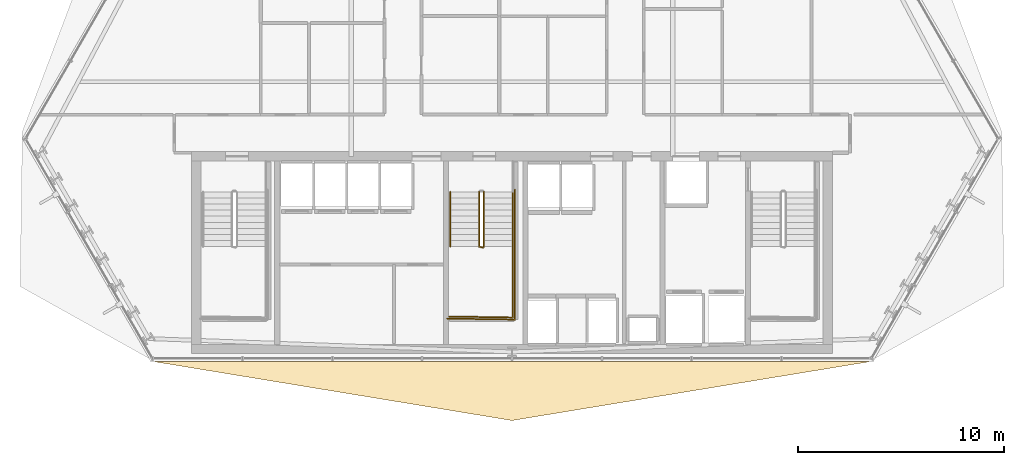
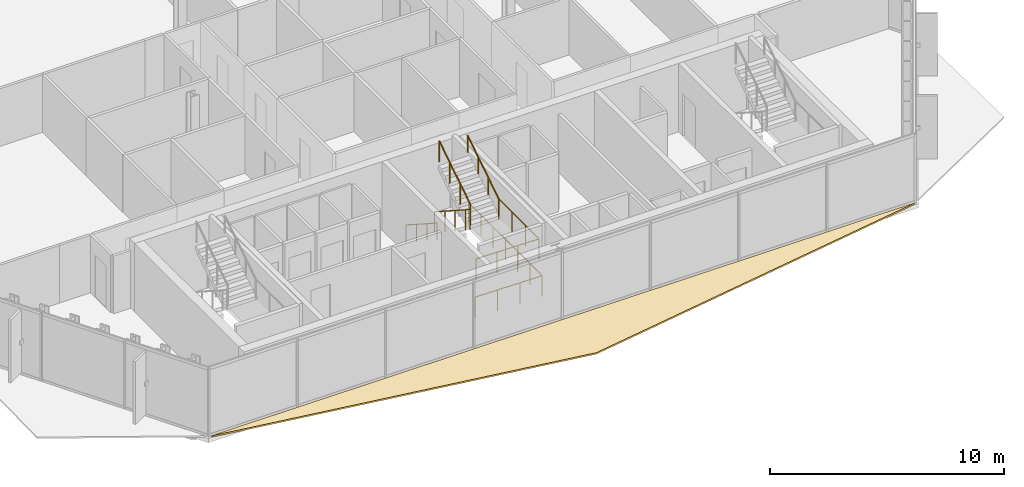
# One storey, part 32 of 36: 6 railings, 1 covering.
"""IFC4 building model written with IfcOpenShell, lengths in metres."""

from ifc_helpers import new_model, si_unit, direction, frame, origin, origin_2d, place, context, subcontext, project, spatial, polyline, circle, outline, extrude, material, layer, layer_set, type_object, element, save


model = new_model("IFC4")

# Units and contexts
model_context = context("Model", 3, precision=1e-05, world=origin(), true_north=direction((0.0, 1.0)))
body_context = subcontext(model_context, "Body", "Model", "MODEL_VIEW")
ifc_project = project(units=[si_unit("LENGTHUNIT", "METRE"), si_unit("AREAUNIT", "SQUARE_METRE"), si_unit("VOLUMEUNIT", "CUBIC_METRE"), si_unit("PLANEANGLEUNIT", "RADIAN"), si_unit("MASSUNIT", "GRAM", prefix="KILO")], contexts=[model_context])

# Site, building, storey
site_placement = place(None, origin())
site = spatial("IfcSite", under=ifc_project, at=site_placement, CompositionType="ELEMENT")
building_placement = place(site_placement, origin())
building = spatial("IfcBuilding", under=site, at=building_placement, Name="Ndaravel Arena Tower", CompositionType="ELEMENT")
storey_placement = place(building_placement, frame((0.0, 0.0, 127.0)))
storey = spatial("IfcBuildingStorey", under=building, at=storey_placement, Name="L29", CompositionType="ELEMENT", Elevation=127.0)

# Covering
ifc_material_1 = material(Name="Roofing Membrane", Category="finish")
ifc_layer_1 = layer(ifc_material_1, 0.080078125)
ifc_layer_set_1 = layer_set([ifc_layer_1], Name="Roofing Membrane")
covering_type = type_object("IfcCoveringType", Name="COV-ROOF-MEMB", PredefinedType="ROOFING", material=ifc_layer_set_1)
covering_placement = place(storey_placement, origin())
element("IfcCovering", 1, at=covering_placement, inside=storey, type_object=covering_type, Name="L29 Facet Setback Weathering Flashing", PredefinedType="ROOFING", context=body_context, shape_type="SweptSolid", body=[
    extrude(outline(polyline([(59.3271484375, 5.0), (42.0, 2.14990234375), (24.6728515625, 5.0), (24.63720703125, 5.02001953125), (59.36279296875, 5.02001953125), (59.3271484375, 5.0)])), origin(), (0.0, 0.0, 1.0), 0.080078125),
])

# Railings
ifc_material_2 = material(Name="Steel S355", Category="steel")
ifc_layer_2 = layer(ifc_material_2, 0.06005859375)
ifc_layer_set_2 = layer_set([ifc_layer_2], Name="Steel S355")
railing_type_1 = type_object("IfcRailingType", Name="RAIL-STAIR-GD1100", PredefinedType="GUARDRAIL", material=ifc_layer_set_2)
railing_1_placement = place(storey_placement, frame((40.39990234375, 13.25, 0.18994140625)))
element("IfcRailing", 2, at=railing_1_placement, inside=storey, type_object=railing_type_1, Name="L29 ST-2 stair guard 1", PredefinedType="GUARDRAIL", context=body_context, shape_type="SweptSolid", body=[
    extrude(circle(Radius=0.02392578125, at=origin_2d()), frame((0.0, 0.0, 1.076171875), z_axis=(0.0, -0.840723540582, 0.54146461409), x_axis=(1.0, 0.0, 0.0)), (0.0, 0.0, 1.0), 3.157958984375),
    extrude(circle(Radius=0.02392578125, at=origin_2d()), frame((0.0, -2.655029296875, 2.7861328125), z_axis=(0.967074537263, -0.25449329928, 0.0), x_axis=(0.25449329928, 0.967074537263, 0.0)), (0.0, 0.0, 1.0), 0.19677734375),
    extrude(circle(Radius=0.02099609375, at=origin_2d()), origin(), (0.0, 0.0, 1.0), 1.052001953125),
    extrude(circle(Radius=0.02099609375, at=origin_2d()), frame((0.0, -0.885009765625, 0.570068359375)), (0.0, 0.0, 1.0), 1.052001953125),
    extrude(circle(Radius=0.02099609375, at=origin_2d()), frame((0.0, -1.77001953125, 1.139892578125)), (0.0, 0.0, 1.0), 1.052001953125),
    extrude(circle(Radius=0.02099609375, at=origin_2d()), frame((0.0, -2.655029296875, 1.7099609375)), (0.0, 0.0, 1.0), 1.052001953125),
    extrude(circle(Radius=0.02099609375, at=origin_2d()), frame((0.190185546875, -2.705078125, 1.7099609375)), (0.0, 0.0, 1.0), 1.052001953125),
])
railing_2_placement = place(storey_placement, frame((42.0400390625, 10.594970703125, 1.89990234375)))
element("IfcRailing", 3, at=railing_2_placement, inside=storey, type_object=railing_type_1, Name="L29 ST-2 stair guard 2", PredefinedType="GUARDRAIL", context=body_context, shape_type="SweptSolid", body=[
    extrude(circle(Radius=0.02392578125, at=origin_2d()), frame((0.0, 0.0, 1.076171875), z_axis=(0.0, -1.0, 0.0), x_axis=(1.0, 0.0, 0.0)), (0.0, 0.0, 1.0), 3.445068359375),
    extrude(circle(Radius=0.02392578125, at=origin_2d()), frame((0.0, -3.445068359375, 1.076171875), z_axis=(-0.999868861343, 0.016194447071, 0.0), x_axis=(-0.016194447071, -0.999868861343, 0.0)), (0.0, 0.0, 1.0), 3.090576171875),
    extrude(circle(Radius=0.02099609375, at=origin_2d()), origin(), (0.0, 0.0, 1.0), 1.052001953125),
    extrude(circle(Radius=0.02099609375, at=origin_2d()), frame((0.0, -1.1484375, 0.0)), (0.0, 0.0, 1.0), 1.052001953125),
    extrude(circle(Radius=0.02099609375, at=origin_2d()), frame((0.0, -2.296630859375, 0.0)), (0.0, 0.0, 1.0), 1.052001953125),
    extrude(circle(Radius=0.02099609375, at=origin_2d()), frame((0.0, -3.445068359375, 0.0)), (0.0, 0.0, 1.0), 1.052001953125),
    extrude(circle(Radius=0.02099609375, at=origin_2d()), frame((-1.030029296875, -3.428466796875, 0.0)), (0.0, 0.0, 1.0), 1.052001953125),
    extrude(circle(Radius=0.02099609375, at=origin_2d()), frame((-2.06005859375, -3.41162109375, 0.0)), (0.0, 0.0, 1.0), 1.052001953125),
    extrude(circle(Radius=0.02099609375, at=origin_2d()), frame((-3.090087890625, -3.39501953125, 0.0)), (0.0, 0.0, 1.0), 1.052001953125),
])
railing_3_placement = place(storey_placement, frame((40.639892578125, 10.594970703125, 2.090087890625)))
element("IfcRailing", 4, at=railing_3_placement, inside=storey, type_object=railing_type_1, Name="L29 ST-2 stair guard 3", PredefinedType="GUARDRAIL", context=body_context, shape_type="SweptSolid", body=[
    extrude(circle(Radius=0.02392578125, at=origin_2d()), frame((0.0, 0.0, 1.076171875), z_axis=(0.0, 0.840723540582, 0.54146461409), x_axis=(-1.0, 0.0, 0.0)), (0.0, 0.0, 1.0), 3.157958984375),
    extrude(circle(Radius=0.02099609375, at=origin_2d()), origin(), (0.0, 0.0, 1.0), 1.052001953125),
    extrude(circle(Radius=0.02099609375, at=origin_2d()), frame((0.0, 0.885009765625, 0.570068359375)), (0.0, 0.0, 1.0), 1.052001953125),
    extrude(circle(Radius=0.02099609375, at=origin_2d()), frame((0.0, 1.77001953125, 1.139892578125)), (0.0, 0.0, 1.0), 1.052001953125),
    extrude(circle(Radius=0.02099609375, at=origin_2d()), frame((0.0, 2.655029296875, 1.7099609375)), (0.0, 0.0, 1.0), 1.052001953125),
])
railing_4_placement = place(storey_placement, frame((42.139892578125, 13.35009765625, 0.0)))
element("IfcRailing", 5, at=railing_4_placement, inside=storey, type_object=railing_type_1, Name="L29 ST-2 stair guard 6", PredefinedType="GUARDRAIL", context=body_context, shape_type="SweptSolid", body=[
    extrude(circle(Radius=0.02392578125, at=origin_2d()), frame((0.0, 0.0, 1.076171875), z_axis=(0.0, -1.0, 0.0), x_axis=(1.0, 0.0, 0.0)), (0.0, 0.0, 1.0), 6.300048828125),
    extrude(circle(Radius=0.02392578125, at=origin_2d()), frame((0.0, -6.300048828125, 1.076171875), z_axis=(-0.999884296952, 0.015211597839, 0.0), x_axis=(-0.015211597839, -0.999884296952, 0.0)), (0.0, 0.0, 1.0), 3.290283203125),
    extrude(circle(Radius=0.02099609375, at=origin_2d()), origin(), (0.0, 0.0, 1.0), 1.052001953125),
    extrude(circle(Radius=0.02099609375, at=origin_2d()), frame((0.0, -1.050048828125, 0.0)), (0.0, 0.0, 1.0), 1.052001953125),
    extrude(circle(Radius=0.02099609375, at=origin_2d()), frame((0.0, -2.10009765625, 0.0)), (0.0, 0.0, 1.0), 1.052001953125),
    extrude(circle(Radius=0.02099609375, at=origin_2d()), frame((0.0, -3.14990234375, 0.0)), (0.0, 0.0, 1.0), 1.052001953125),
    extrude(circle(Radius=0.02099609375, at=origin_2d()), frame((0.0, -4.199951171875, 0.0)), (0.0, 0.0, 1.0), 1.052001953125),
    extrude(circle(Radius=0.02099609375, at=origin_2d()), frame((0.0, -5.25, 0.0)), (0.0, 0.0, 1.0), 1.052001953125),
    extrude(circle(Radius=0.02099609375, at=origin_2d()), frame((0.0, -6.300048828125, 0.0)), (0.0, 0.0, 1.0), 1.052001953125),
    extrude(circle(Radius=0.02099609375, at=origin_2d()), frame((-1.0966796875, -6.283447265625, 0.0)), (0.0, 0.0, 1.0), 1.052001953125),
    extrude(circle(Radius=0.02099609375, at=origin_2d()), frame((-2.193115234375, -6.2666015625, 0.0)), (0.0, 0.0, 1.0), 1.052001953125),
    extrude(circle(Radius=0.02099609375, at=origin_2d()), frame((-3.289794921875, -6.25, 0.0)), (0.0, 0.0, 1.0), 1.052001953125),
])
ifc_material_3 = material(Name="Steel S355", Category="steel")
ifc_layer_3 = layer(ifc_material_3, 0.050048828125)
ifc_layer_set_3 = layer_set([ifc_layer_3], Name="Steel S355")
railing_type_2 = type_object("IfcRailingType", Name="RAIL-STAIR-HR920", PredefinedType="HANDRAIL", material=ifc_layer_set_3)
railing_5_placement = place(storey_placement, frame((39.0, 13.25, 0.18994140625)))
element("IfcRailing", 6, at=railing_5_placement, inside=storey, type_object=railing_type_2, Name="L29 ST-2 stair handrail 1", PredefinedType="HANDRAIL", context=body_context, shape_type="SweptSolid", body=[
    extrude(circle(Radius=0.02392578125, at=origin_2d()), frame((0.0, 0.0, 0.8759765625), z_axis=(0.0, -0.840723540582, 0.54146461409), x_axis=(1.0, 0.0, 0.0)), (0.0, 0.0, 1.0), 3.157958984375),
    extrude(circle(Radius=0.02099609375, at=origin_2d()), origin(), (0.0, 0.0, 1.0), 0.851806640625),
    extrude(circle(Radius=0.02099609375, at=origin_2d()), frame((0.0, -0.885009765625, 0.570068359375)), (0.0, 0.0, 1.0), 0.851806640625),
    extrude(circle(Radius=0.02099609375, at=origin_2d()), frame((0.0, -1.77001953125, 1.139892578125)), (0.0, 0.0, 1.0), 0.851806640625),
    extrude(circle(Radius=0.02099609375, at=origin_2d()), frame((0.0, -2.655029296875, 1.7099609375)), (0.0, 0.0, 1.0), 0.851806640625),
])
railing_6_placement = place(storey_placement, frame((42.0400390625, 10.594970703125, 2.090087890625)))
element("IfcRailing", 7, at=railing_6_placement, inside=storey, type_object=railing_type_2, Name="L29 ST-2 stair handrail 2", PredefinedType="HANDRAIL", context=body_context, shape_type="SweptSolid", body=[
    extrude(circle(Radius=0.02392578125, at=origin_2d()), frame((0.0, 0.0, 0.8759765625), z_axis=(0.0, 0.840723540582, 0.54146461409), x_axis=(-1.0, 0.0, 0.0)), (0.0, 0.0, 1.0), 3.157958984375),
    extrude(circle(Radius=0.02099609375, at=origin_2d()), origin(), (0.0, 0.0, 1.0), 0.851806640625),
    extrude(circle(Radius=0.02099609375, at=origin_2d()), frame((0.0, 0.885009765625, 0.570068359375)), (0.0, 0.0, 1.0), 0.851806640625),
    extrude(circle(Radius=0.02099609375, at=origin_2d()), frame((0.0, 1.77001953125, 1.139892578125)), (0.0, 0.0, 1.0), 0.851806640625),
    extrude(circle(Radius=0.02099609375, at=origin_2d()), frame((0.0, 2.655029296875, 1.7099609375)), (0.0, 0.0, 1.0), 0.851806640625),
])

save(model, "model.ifc")
